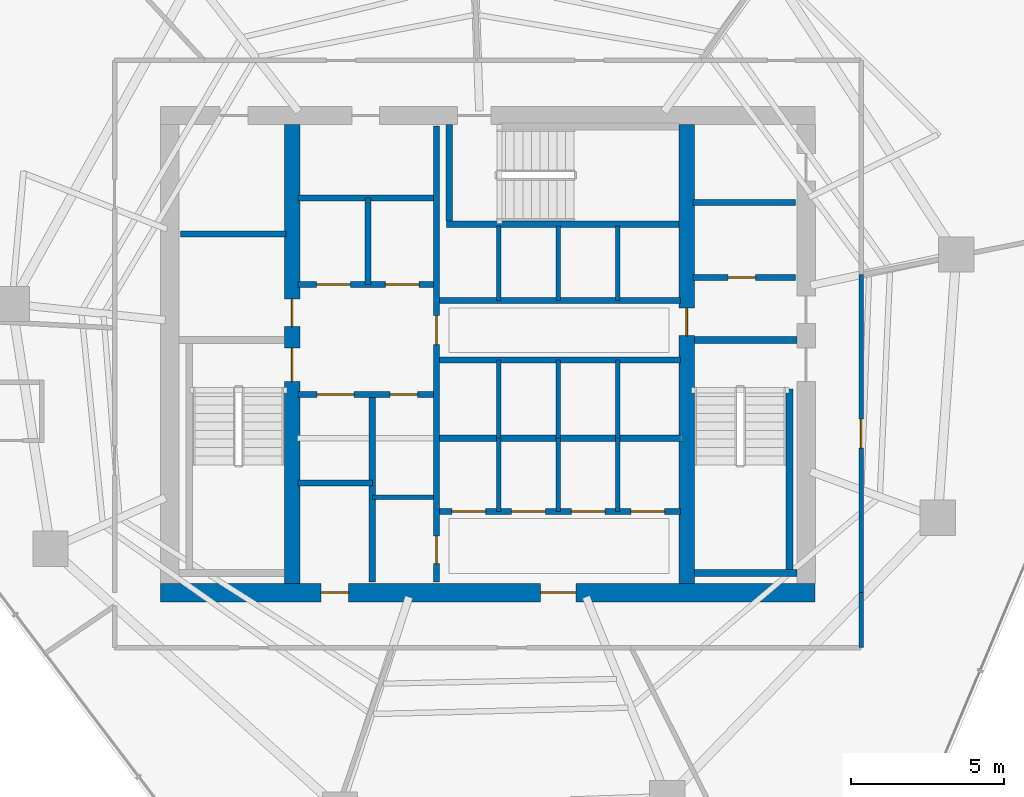
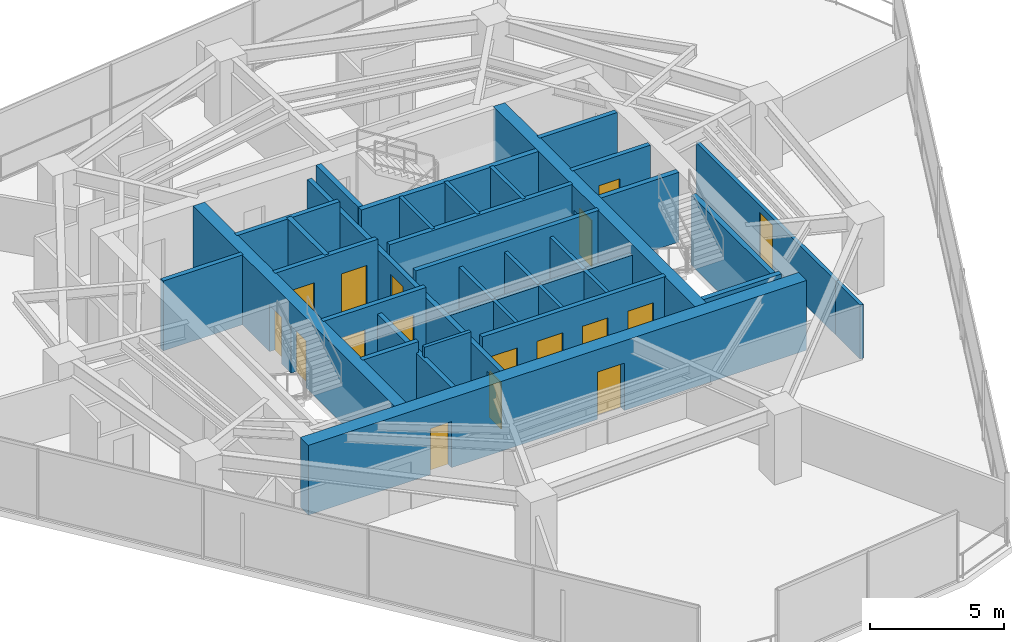
# One storey, part 25 of 30: 34 walls, 17 doors, 17 openings.
"""IFC4 building model written with IfcOpenShell, lengths in metres."""

import ifcopenshell
import ifcopenshell.guid

model = None  # the IFC model being written
_history = None  # IfcOwnerHistory: only IFC2X3 demands one
_inside = {}  # id of a spatial element -> (the spatial element, [elements in it])
_under = {}  # id of a project, library or spatial element -> (it, [spatial elements below it])
_declared = {}  # id of a project -> (the project, [libraries it declares])
_typed = {}  # id of a type object -> (the type object, [elements of that type])
_made_of = {}  # id of a material, layer set ... -> (it, [elements and type objects made of it])


def new_model(schema):
    """Start an empty IFC model of exactly this schema.

    Asked for "IFC4X3", IfcOpenShell would pick the latest addendum, in which some entities
    have other attributes; the version numbers below select the first issue.
    IFC2X3 requires an IfcOwnerHistory on every rooted entity: one is made here for all.
    """
    global model, _history
    if schema == "IFC4X3":
        model = ifcopenshell.file(schema_version=(4, 3, 0, 0))
    else:
        model = ifcopenshell.file(schema=schema)
    _inside.clear()
    _under.clear()
    _declared.clear()
    _typed.clear()
    _made_of.clear()
    _history = None
    if model.schema == "IFC2X3":
        org = make("IfcOrganization", Name="unknown")
        user = make(
            "IfcPersonAndOrganization",
            ThePerson=make("IfcPerson", FamilyName="unknown"),
            TheOrganization=org,
        )
        app = make(
            "IfcApplication",
            ApplicationDeveloper=org,
            Version="unknown",
            ApplicationFullName="unknown",
            ApplicationIdentifier="unknown",
        )
        _history = make(
            "IfcOwnerHistory",
            OwningUser=user,
            OwningApplication=app,
            ChangeAction="ADDED",
            CreationDate=0,
        )
    return model


def make(cls, **values):
    """One entity of the class cls with the attributes given. An attribute that is None is left unset."""
    return model.create_entity(
        cls, **{name: value for name, value in values.items() if value is not None}
    )


def rooted(cls, **values):
    """An entity with a GlobalId (a new one), such as an element, a storey or a relation."""
    return make(cls, GlobalId=ifcopenshell.guid.new(), OwnerHistory=_history, **values)


def si_unit(unit_type, name, prefix=None):
    """IfcSIUnit, for example si_unit("LENGTHUNIT", "METRE", prefix="MILLI")."""
    return make("IfcSIUnit", UnitType=unit_type, Prefix=prefix, Name=name)


def assignment(units):
    """IfcUnitAssignment: the units of a project."""
    return None if units is None else make("IfcUnitAssignment", Units=units)


def point(xyz):
    """IfcCartesianPoint."""
    return None if xyz is None else make("IfcCartesianPoint", Coordinates=xyz)


def direction(xyz):
    """IfcDirection."""
    return None if xyz is None else make("IfcDirection", DirectionRatios=xyz)


def frame(location, z_axis=None, x_axis=None):
    """IfcAxis2Placement3D, a coordinate frame: its origin and axes. An axis left out is left unset."""
    return make(
        "IfcAxis2Placement3D",
        Location=point(location),
        Axis=direction(z_axis),
        RefDirection=direction(x_axis),
    )


def frame_2d(location, x_axis=None):
    """IfcAxis2Placement2D, a coordinate frame in the plane: its origin and x axis."""
    return make(
        "IfcAxis2Placement2D", Location=point(location), RefDirection=direction(x_axis)
    )


def origin():
    """The frame at (0, 0, 0) with its axes left unset."""
    return frame((0.0, 0.0, 0.0))


def place(relative_to, where):
    """IfcLocalPlacement: puts the frame where relative to a parent placement (None: the world)."""
    return make(
        "IfcLocalPlacement", PlacementRelTo=relative_to, RelativePlacement=where
    )


def context(
    kind, dimensions, precision=None, world=None, true_north=None, identifier=None
):
    """IfcGeometricRepresentationContext, for example the 3D "Model" context."""
    return make(
        "IfcGeometricRepresentationContext",
        ContextIdentifier=identifier,
        ContextType=kind,
        CoordinateSpaceDimension=dimensions,
        Precision=precision,
        WorldCoordinateSystem=world,
        TrueNorth=true_north,
    )


def subcontext(parent, identifier, kind, view, scale=None):
    """IfcGeometricRepresentationSubContext, for example "Body" below "Model"."""
    return make(
        "IfcGeometricRepresentationSubContext",
        ContextIdentifier=identifier,
        ContextType=kind,
        ParentContext=parent,
        TargetScale=scale,
        TargetView=view,
    )


def project(units=None, contexts=None):
    """IfcProject with its units and contexts."""
    return rooted(
        "IfcProject",
        Name="project",
        RepresentationContexts=contexts,
        UnitsInContext=assignment(units),
    )


def spatial(cls, under=None, at=None, **own):
    """A site, building, storey or space (cls), placed at a placement, below another one or the project."""
    s = rooted(cls, ObjectPlacement=at, **own)
    if under is not None:
        _under.setdefault(under.id(), (under, []))[1].append(s)
    return s


def profile(cls, at=None, kind="AREA", **sizes):
    """A parametric profile (cls). Its sizes go by their IFC names, for example OverallWidth=200.0."""
    return make(cls, ProfileType=kind, Position=at, **sizes)


def rectangle(**sizes):
    """IfcRectangleProfileDef."""
    return profile("IfcRectangleProfileDef", **sizes)


def extrude(swept, where, along, depth):
    """IfcExtrudedAreaSolid: the profile swept, set in the frame where, extruded along a direction by depth."""
    return make(
        "IfcExtrudedAreaSolid",
        SweptArea=swept,
        Position=where,
        ExtrudedDirection=direction(along),
        Depth=depth,
    )


def shape(context_of_items, identifier, shape_type, items):
    """IfcShapeRepresentation: the items that make up one representation, for example the "Body"."""
    return make(
        "IfcShapeRepresentation",
        ContextOfItems=context_of_items,
        RepresentationIdentifier=identifier,
        RepresentationType=shape_type,
        Items=items,
    )


def material(Name=None, Category=None):
    """IfcMaterial."""
    return make("IfcMaterial", Name=Name, Category=Category)


def layer(
    of_material, thickness, ventilated=None, Name=None, Category=None, Priority=None
):
    """IfcMaterialLayer: one layer of a wall or slab, of a material (None: an air gap)."""
    return make(
        "IfcMaterialLayer",
        Material=of_material,
        LayerThickness=thickness,
        IsVentilated=ventilated,
        Name=Name,
        Category=Category,
        Priority=Priority,
    )


def layer_set(layers, Name=None):
    """IfcMaterialLayerSet."""
    return make("IfcMaterialLayerSet", MaterialLayers=layers, LayerSetName=Name)


def made_of(thing, what):
    """Note that an element or type object is made of a material, layer set ...; save() writes the relation."""
    if what is not None:
        _made_of.setdefault(what.id(), (what, []))[1].append(thing)
    return thing


def type_object(cls, material=None, **own):
    """A type object (cls), such as IfcWallType, which elements share."""
    return made_of(rooted(cls, **own), material)


def element(
    cls,
    number,
    at=None,
    inside=None,
    cuts=None,
    type_object=None,
    material=None,
    context=None,
    identifier="Body",
    shape_type=None,
    held_by="IfcProductDefinitionShape",
    body=None,
    shapes=None,
    **own,
):
    """One element of the class cls, such as IfcWall. Its Tag is "e" and its number.

    at: its placement. inside: the storey or other place that contains it. cuts: it is an
    opening in that element (IfcRelVoidsElement). A single representation is given by context,
    identifier, shape_type and body (its items); several are given by shapes. held_by: the class
    of the entity that holds the representations. save() writes the other relations.
    """
    e = rooted(cls, Tag="e%d" % number, ObjectPlacement=at, **own)
    if body is not None:
        shapes = [shape(context, identifier, shape_type, body)]
    if shapes is not None:
        e.Representation = make(held_by, Representations=shapes)
    if inside is not None:
        _inside.setdefault(inside.id(), (inside, []))[1].append(e)
    if cuts is not None:
        rooted(
            "IfcRelVoidsElement", RelatingBuildingElement=cuts, RelatedOpeningElement=e
        )
    if type_object is not None:
        _typed.setdefault(type_object.id(), (type_object, []))[1].append(e)
    return made_of(e, material)


def fill(opening, filler):
    """IfcRelFillsElement: the door or window that sits in an opening."""
    return rooted(
        "IfcRelFillsElement",
        RelatingOpeningElement=opening,
        RelatedBuildingElement=filler,
    )


def aggregate(whole, parts):
    """IfcRelAggregates: a whole, such as a stair, and the parts it consists of."""
    return rooted("IfcRelAggregates", RelatingObject=whole, RelatedObjects=parts)


def save(model, path):
    """Write the relations noted so far, then the file.

    IfcRelAggregates (storeys below a building ...), IfcRelContainedInSpatialStructure (elements
    in a storey), IfcRelDefinesByType, IfcRelAssociatesMaterial and IfcRelDeclares: one each for
    every whole, place, type object, material and project.
    """
    for whole, parts in _under.values():
        aggregate(whole, parts)
    for where, things in _inside.values():
        rooted(
            "IfcRelContainedInSpatialStructure",
            RelatedElements=things,
            RelatingStructure=where,
        )
    for kind, things in _typed.values():
        rooted("IfcRelDefinesByType", RelatedObjects=things, RelatingType=kind)
    for what, things in _made_of.values():
        rooted("IfcRelAssociatesMaterial", RelatedObjects=things, RelatingMaterial=what)
    for by, libraries in _declared.values():
        rooted("IfcRelDeclares", RelatingContext=by, RelatedDefinitions=libraries)
    model.write(path)


model = new_model("IFC4")

# Units and contexts
model_context = context("Model", 3, precision=1e-05, world=origin(), true_north=direction((0.0, 1.0)))
body_context = subcontext(model_context, "Body", "Model", "MODEL_VIEW")
ifc_project = project(units=[si_unit("LENGTHUNIT", "METRE"), si_unit("AREAUNIT", "SQUARE_METRE"), si_unit("VOLUMEUNIT", "CUBIC_METRE"), si_unit("PLANEANGLEUNIT", "RADIAN"), si_unit("MASSUNIT", "GRAM", prefix="KILO")], contexts=[model_context])

# Site, building, storey
site_placement = place(None, origin())
site = spatial("IfcSite", under=ifc_project, at=site_placement, CompositionType="ELEMENT")
building_placement = place(site_placement, origin())
building = spatial("IfcBuilding", under=site, at=building_placement, Name="Qarnah Convention Tower", CompositionType="ELEMENT")
storey_placement = place(building_placement, frame((0.0, 0.0, 93.60009765625)))
storey = spatial("IfcBuildingStorey", under=building, at=storey_placement, Name="L24", CompositionType="ELEMENT", Elevation=93.60009765625)

# Wall, openings, doors
ifc_material_1 = material(Name="Concrete C60/75", Category="concrete")
ifc_layer_1 = layer(ifc_material_1, 0.60009765625)
ifc_layer_set_1 = layer_set([ifc_layer_1], Name="Concrete C60/75")
wall_type_1 = type_object("IfcWallType", Name="WL-CORE-600", PredefinedType="SHEAR", material=ifc_layer_set_1)
wall_1_placement = place(storey_placement, frame((26.5, 18.60009765625, 0.0), z_axis=(0.0, 0.0, 1.0), x_axis=(1.0, 0.0, 0.0)))
wall_1 = element("IfcWall", 1, at=wall_1_placement, inside=storey, type_object=wall_type_1, Name="L24 core south shear wall", PredefinedType="SHEAR", context=body_context, shape_type="SweptSolid", body=[
    extrude(rectangle(XDim=21.39990234375, YDim=0.60009765625, at=frame_2d((10.699951171875, 0.0))), origin(), (0.0, 0.0, 1.0), 3.169921875),
])
opening_1_placement = place(wall_1_placement, frame((12.425048828125, 0.0, 0.0)))
opening_1 = element("IfcOpeningElement", 2, at=opening_1_placement, cuts=wall_1, Name="Opening D-2407", PredefinedType="OPENING", context=body_context, shape_type="SweptSolid", body=[
    extrude(rectangle(XDim=1.14990234375, YDim=2.14990234375, at=frame_2d((0.574951171875, 1.074951171875))), frame((0.0, 0.31005859375, 0.0), z_axis=(0.0, -1.0, 0.0), x_axis=(1.0, 0.0, 0.0)), (0.0, 0.0, 1.0), 0.6201171875),
])
opening_2_placement = place(wall_1_placement, frame((5.25, 0.0, 0.0)))
opening_2 = element("IfcOpeningElement", 3, at=opening_2_placement, cuts=wall_1, Name="Opening D-2413", PredefinedType="OPENING", context=body_context, shape_type="SweptSolid", body=[
    extrude(rectangle(XDim=0.89990234375, YDim=2.10009765625, at=frame_2d((0.449951171875, 1.050048828125))), frame((0.0, 0.31005859375, 0.0), z_axis=(0.0, -1.0, 0.0), x_axis=(1.0, 0.0, 0.0)), (0.0, 0.0, 1.0), 0.6201171875),
])
ifc_material_2 = material(Name="Structural steel S355JR", Category="steel")
door_type_1 = type_object("IfcDoorType", Name="DT-LOBBY-1150", OperationType="NOTDEFINED", PredefinedType="DOOR", material=ifc_material_2)
door_1_placement = place(opening_1_placement, origin())
door_1 = element("IfcDoor", 4, at=door_1_placement, inside=storey, type_object=door_type_1, Name="Door D-2407", OperationType="SINGLE_SWING_RIGHT", OverallHeight=2.14990234375, OverallWidth=1.14990234375, PredefinedType="DOOR", context=body_context, shape_type="SweptSolid", body=[
    extrude(rectangle(XDim=1.14990234375, YDim=2.14990234375, at=frame_2d((0.574951171875, 1.074951171875))), frame((0.0, 0.02490234375, 0.0), z_axis=(0.0, -1.0, 0.0), x_axis=(1.0, 0.0, 0.0)), (0.0, 0.0, 1.0), 0.050048828125),
])
fill(opening_1, door_1)
door_type_2 = type_object("IfcDoorType", Name="DT-RISER-900", OperationType="NOTDEFINED", PredefinedType="DOOR", material=ifc_material_2)
door_2_placement = place(opening_2_placement, origin())
door_2 = element("IfcDoor", 5, at=door_2_placement, inside=storey, type_object=door_type_2, Name="Door D-2413", OperationType="SINGLE_SWING_RIGHT", OverallHeight=2.10009765625, OverallWidth=0.89990234375, PredefinedType="DOOR", context=body_context, shape_type="SweptSolid", body=[
    extrude(rectangle(XDim=0.89990234375, YDim=2.10009765625, at=frame_2d((0.449951171875, 1.050048828125))), frame((0.0, 0.02490234375, 0.0), z_axis=(0.0, -1.0, 0.0), x_axis=(1.0, 0.0, 0.0)), (0.0, 0.0, 1.0), 0.050048828125),
])
fill(opening_2, door_2)

ifc_layer_2 = layer(ifc_material_1, 0.5)
ifc_layer_set_2 = layer_set([ifc_layer_2], Name="Concrete C60/75")
wall_type_2 = type_object("IfcWallType", Name="WL-CORE-INT-400", PredefinedType="SHEAR", material=ifc_layer_set_2)
wall_2_placement = place(storey_placement, frame((30.800048828125, 18.89990234375, 0.0), z_axis=(0.0, 0.0, 1.0), x_axis=(0.0, 1.0, 0.0)))
wall_2 = element("IfcWall", 6, at=wall_2_placement, inside=storey, type_object=wall_type_2, Name="L24 core west spine shear wall", PredefinedType="SHEAR", context=body_context, shape_type="SweptSolid", body=[
    extrude(rectangle(XDim=15.0, YDim=0.5, at=frame_2d((7.5, 0.0))), origin(), (0.0, 0.0, 1.0), 3.169921875),
])
opening_3_placement = place(wall_2_placement, frame((6.60009765625, 0.0, 0.0)))
opening_3 = element("IfcOpeningElement", 7, at=opening_3_placement, cuts=wall_2, Name="Opening D-2401", PredefinedType="OPENING", context=body_context, shape_type="SweptSolid", body=[
    extrude(rectangle(XDim=1.10009765625, YDim=2.14990234375, at=frame_2d((0.550048828125, 1.074951171875))), frame((0.0, 0.260009765625, 0.0), z_axis=(0.0, -1.0, 0.0), x_axis=(1.0, 0.0, 0.0)), (0.0, 0.0, 1.0), 0.52001953125),
])
opening_4_placement = place(wall_2_placement, frame((8.39990234375, 0.0, 0.0)))
opening_4 = element("IfcOpeningElement", 8, at=opening_4_placement, cuts=wall_2, Name="Opening D-2408", PredefinedType="OPENING", context=body_context, shape_type="SweptSolid", body=[
    extrude(rectangle(XDim=0.89990234375, YDim=2.10009765625, at=frame_2d((0.449951171875, 1.050048828125))), frame((0.0, 0.260009765625, 0.0), z_axis=(0.0, -1.0, 0.0), x_axis=(1.0, 0.0, 0.0)), (0.0, 0.0, 1.0), 0.52001953125),
])
door_3_placement = place(opening_4_placement, origin())
door_3 = element("IfcDoor", 9, at=door_3_placement, inside=storey, type_object=door_type_2, Name="Door D-2408", OperationType="SINGLE_SWING_LEFT", OverallHeight=2.10009765625, OverallWidth=0.89990234375, PredefinedType="DOOR", context=body_context, shape_type="SweptSolid", body=[
    extrude(rectangle(XDim=0.89990234375, YDim=2.10009765625, at=frame_2d((0.449951171875, 1.050048828125))), frame((0.0, 0.02490234375, 0.0), z_axis=(0.0, -1.0, 0.0), x_axis=(1.0, 0.0, 0.0)), (0.0, 0.0, 1.0), 0.050048828125),
])
fill(opening_4, door_3)
door_type_3 = type_object("IfcDoorType", Name="DT-STAIR-1100", OperationType="NOTDEFINED", PredefinedType="DOOR", material=ifc_material_2)
door_4_placement = place(opening_3_placement, origin())
door_4 = element("IfcDoor", 10, at=door_4_placement, inside=storey, type_object=door_type_3, Name="Door D-2401", OperationType="SINGLE_SWING_RIGHT", OverallHeight=2.14990234375, OverallWidth=1.10009765625, PredefinedType="DOOR", context=body_context, shape_type="SweptSolid", body=[
    extrude(rectangle(XDim=1.10009765625, YDim=2.14990234375, at=frame_2d((0.550048828125, 1.074951171875))), frame((0.0, 0.02490234375, 0.0), z_axis=(0.0, -1.0, 0.0), x_axis=(1.0, 0.0, 0.0)), (0.0, 0.0, 1.0), 0.050048828125),
])
fill(opening_3, door_4)

# Wall, opening, door
wall_3_placement = place(storey_placement, frame((43.699951171875, 18.89990234375, 0.0), z_axis=(0.0, 0.0, 1.0), x_axis=(0.0, 1.0, 0.0)))
wall_3 = element("IfcWall", 11, at=wall_3_placement, inside=storey, type_object=wall_type_2, Name="L24 core east spine shear wall", PredefinedType="SHEAR", context=body_context, shape_type="SweptSolid", body=[
    extrude(rectangle(XDim=15.0, YDim=0.5, at=frame_2d((7.5, 0.0))), origin(), (0.0, 0.0, 1.0), 3.169921875),
])
opening_5_placement = place(wall_3_placement, frame((8.10009765625, 0.0, 0.0)))
opening_5 = element("IfcOpeningElement", 12, at=opening_5_placement, cuts=wall_3, Name="Opening D-2405", PredefinedType="OPENING", context=body_context, shape_type="SweptSolid", body=[
    extrude(rectangle(XDim=0.89990234375, YDim=2.10009765625, at=frame_2d((0.449951171875, 1.050048828125))), frame((0.0, 0.260009765625, 0.0), z_axis=(0.0, -1.0, 0.0), x_axis=(1.0, 0.0, 0.0)), (0.0, 0.0, 1.0), 0.52001953125),
])
door_5_placement = place(opening_5_placement, origin())
door_5 = element("IfcDoor", 13, at=door_5_placement, inside=storey, type_object=door_type_2, Name="Door D-2405", OperationType="SINGLE_SWING_RIGHT", OverallHeight=2.10009765625, OverallWidth=0.89990234375, PredefinedType="DOOR", context=body_context, shape_type="SweptSolid", body=[
    extrude(rectangle(XDim=0.89990234375, YDim=2.10009765625, at=frame_2d((0.449951171875, 1.050048828125))), frame((0.0, 0.02490234375, 0.0), z_axis=(0.0, -1.0, 0.0), x_axis=(1.0, 0.0, 0.0)), (0.0, 0.0, 1.0), 0.050048828125),
])
fill(opening_5, door_5)

# Wall
ifc_material_3 = material(Name="Concrete C45/55", Category="concrete")
ifc_layer_3 = layer(ifc_material_3, 0.199951171875)
ifc_layer_set_3 = layer_set([ifc_layer_3], Name="Concrete C45/55")
wall_type_3 = type_object("IfcWallType", Name="WL-CORE-PART-200", PredefinedType="SOLIDWALL", material=ifc_layer_set_3)
wall_4_placement = place(storey_placement, frame((27.14990234375, 30.320068359375, 0.0), z_axis=(0.0, 0.0, 1.0), x_axis=(1.0, 0.0, 0.0)))
element("IfcWall", 14, at=wall_4_placement, inside=storey, type_object=wall_type_3, Name="L24 interior wall IW-L24-ELRN", PredefinedType="SOLIDWALL", context=body_context, shape_type="SweptSolid", body=[
    extrude(rectangle(XDim=3.4501953125, YDim=0.199951171875, at=frame_2d((1.72509765625, 0.0))), origin(), (0.0, 0.0, 1.0), 3.169921875),
])

# Wall, opening, door
wall_5_placement = place(storey_placement, frame((43.89990234375, 28.89990234375, 0.0), z_axis=(0.0, 0.0, 1.0), x_axis=(1.0, 0.0, 0.0)))
wall_5 = element("IfcWall", 15, at=wall_5_placement, inside=storey, type_object=wall_type_3, Name="L24 interior wall IW-L24-EVSTN", PredefinedType="SOLIDWALL", context=body_context, shape_type="SweptSolid", body=[
    extrude(rectangle(XDim=3.35009765625, YDim=0.199951171875, at=frame_2d((1.675048828125, 0.0))), origin(), (0.0, 0.0, 1.0), 3.169921875),
])
opening_6_placement = place(wall_5_placement, frame((1.14990234375, 0.0, 0.0)))
opening_6 = element("IfcOpeningElement", 16, at=opening_6_placement, cuts=wall_5, Name="Opening D-2411", PredefinedType="OPENING", context=body_context, shape_type="SweptSolid", body=[
    extrude(rectangle(XDim=0.89990234375, YDim=2.10009765625, at=frame_2d((0.449951171875, 1.050048828125))), frame((0.0, 0.10986328125, 0.0), z_axis=(0.0, -1.0, 0.0), x_axis=(1.0, 0.0, 0.0)), (0.0, 0.0, 1.0), 0.219970703125),
])
door_6_placement = place(opening_6_placement, origin())
door_6 = element("IfcDoor", 17, at=door_6_placement, inside=storey, type_object=door_type_2, Name="Door D-2411", OperationType="SINGLE_SWING_RIGHT", OverallHeight=2.10009765625, OverallWidth=0.89990234375, PredefinedType="DOOR", context=body_context, shape_type="SweptSolid", body=[
    extrude(rectangle(XDim=0.89990234375, YDim=2.10009765625, at=frame_2d((0.449951171875, 1.050048828125))), frame((0.0, 0.02490234375, 0.0), z_axis=(0.0, -1.0, 0.0), x_axis=(1.0, 0.0, 0.0)), (0.0, 0.0, 1.0), 0.050048828125),
])
fill(opening_6, door_6)

# Wall
wall_6_placement = place(storey_placement, frame((43.89990234375, 31.35009765625, 0.0), z_axis=(0.0, 0.0, 1.0), x_axis=(1.0, 0.0, 0.0)))
element("IfcWall", 18, at=wall_6_placement, inside=storey, type_object=wall_type_3, Name="L24 interior wall IW-L24-WTRN", PredefinedType="SOLIDWALL", context=body_context, shape_type="SweptSolid", body=[
    extrude(rectangle(XDim=3.35009765625, YDim=0.199951171875, at=frame_2d((1.675048828125, 0.0))), origin(), (0.0, 0.0, 1.0), 3.169921875),
])

# Wall, openings, doors
wall_7_placement = place(storey_placement, frame((35.52001953125, 18.949951171875, 0.0), z_axis=(0.0, 0.0, 1.0), x_axis=(0.0, 1.0, 0.0)))
wall_7 = element("IfcWall", 19, at=wall_7_placement, inside=storey, type_object=wall_type_3, Name="L24 interior wall IW-L24-CSP", PredefinedType="SOLIDWALL", context=body_context, shape_type="SweptSolid", body=[
    extrude(rectangle(XDim=14.900146484375, YDim=0.199951171875, at=frame_2d((7.4501953125, 0.0))), origin(), (0.0, 0.0, 1.0), 2.69091796875),
])
opening_7_placement = place(wall_7_placement, frame((7.7548828125, 0.0, 0.0)))
opening_7 = element("IfcOpeningElement", 20, at=opening_7_placement, cuts=wall_7, Name="Opening D-2404", PredefinedType="OPENING", context=body_context, shape_type="SweptSolid", body=[
    extrude(rectangle(XDim=0.949951171875, YDim=2.14990234375, at=frame_2d((0.47509765625, 1.074951171875))), frame((0.0, 0.10986328125, 0.0), z_axis=(0.0, -1.0, 0.0), x_axis=(1.0, 0.0, 0.0)), (0.0, 0.0, 1.0), 0.219970703125),
])
opening_8_placement = place(wall_7_placement, frame((0.60009765625, 0.0, 0.0)))
opening_8 = element("IfcOpeningElement", 21, at=opening_8_placement, cuts=wall_7, Name="Opening D-2414", PredefinedType="OPENING", context=body_context, shape_type="SweptSolid", body=[
    extrude(rectangle(XDim=0.89990234375, YDim=2.10009765625, at=frame_2d((0.449951171875, 1.050048828125))), frame((0.0, 0.10986328125, 0.0), z_axis=(0.0, -1.0, 0.0), x_axis=(1.0, 0.0, 0.0)), (0.0, 0.0, 1.0), 0.219970703125),
])
ifc_material_4 = material(Name="Oak timber veneer", Category="wood")
door_type_4 = type_object("IfcDoorType", Name="DT-HOTEL-950", OperationType="NOTDEFINED", PredefinedType="DOOR", material=ifc_material_4)
door_7_placement = place(opening_7_placement, origin())
door_7 = element("IfcDoor", 22, at=door_7_placement, inside=storey, type_object=door_type_4, Name="Door D-2404", OperationType="SINGLE_SWING_LEFT", OverallHeight=2.14990234375, OverallWidth=0.949951171875, PredefinedType="DOOR", context=body_context, shape_type="SweptSolid", body=[
    extrude(rectangle(XDim=0.949951171875, YDim=2.14990234375, at=frame_2d((0.47509765625, 1.074951171875))), frame((0.0, 0.02490234375, 0.0), z_axis=(0.0, -1.0, 0.0), x_axis=(1.0, 0.0, 0.0)), (0.0, 0.0, 1.0), 0.050048828125),
])
fill(opening_7, door_7)
door_8_placement = place(opening_8_placement, origin())
door_8 = element("IfcDoor", 23, at=door_8_placement, inside=storey, type_object=door_type_2, Name="Door D-2414", OperationType="SINGLE_SWING_LEFT", OverallHeight=2.10009765625, OverallWidth=0.89990234375, PredefinedType="DOOR", context=body_context, shape_type="SweptSolid", body=[
    extrude(rectangle(XDim=0.89990234375, YDim=2.10009765625, at=frame_2d((0.449951171875, 1.050048828125))), frame((0.0, 0.02490234375, 0.0), z_axis=(0.0, -1.0, 0.0), x_axis=(1.0, 0.0, 0.0)), (0.0, 0.0, 1.0), 0.050048828125),
])
fill(opening_8, door_8)

wall_8_placement = place(storey_placement, frame((31.0, 28.679931640625, 0.0), z_axis=(0.0, 0.0, 1.0), x_axis=(1.0, 0.0, 0.0)))
wall_8 = element("IfcWall", 24, at=wall_8_placement, inside=storey, type_object=wall_type_3, Name="L24 interior wall IW-L24-FFLS", PredefinedType="SOLIDWALL", context=body_context, shape_type="SweptSolid", body=[
    extrude(rectangle(XDim=4.419921875, YDim=0.199951171875, at=frame_2d((2.2099609375, 0.0))), origin(), (0.0, 0.0, 1.0), 3.169921875),
])
opening_9_placement = place(wall_8_placement, frame((0.60009765625, 0.0, 0.0)))
opening_9 = element("IfcOpeningElement", 25, at=opening_9_placement, cuts=wall_8, Name="Opening LD-2401", PredefinedType="OPENING", context=body_context, shape_type="SweptSolid", body=[
    extrude(rectangle(XDim=1.10009765625, YDim=2.14990234375, at=frame_2d((0.550048828125, 1.074951171875))), frame((0.0, 0.10986328125, 0.0), z_axis=(0.0, -1.0, 0.0), x_axis=(1.0, 0.0, 0.0)), (0.0, 0.0, 1.0), 0.219970703125),
])
opening_10_placement = place(wall_8_placement, frame((2.85009765625, 0.0, 0.0)))
opening_10 = element("IfcOpeningElement", 26, at=opening_10_placement, cuts=wall_8, Name="Opening LD-2402", PredefinedType="OPENING", context=body_context, shape_type="SweptSolid", body=[
    extrude(rectangle(XDim=1.10009765625, YDim=2.14990234375, at=frame_2d((0.550048828125, 1.074951171875))), frame((0.0, 0.10986328125, 0.0), z_axis=(0.0, -1.0, 0.0), x_axis=(1.0, 0.0, 0.0)), (0.0, 0.0, 1.0), 0.219970703125),
])
door_type_5 = type_object("IfcDoorType", Name="DT-LIFT-1100", OperationType="SLIDING_TO_LEFT", PredefinedType="DOOR", material=ifc_material_2)
door_9_placement = place(opening_9_placement, origin())
door_9 = element("IfcDoor", 27, at=door_9_placement, inside=storey, type_object=door_type_5, Name="Door LD-2401", OperationType="SLIDING_TO_LEFT", OverallHeight=2.14990234375, OverallWidth=1.10009765625, PredefinedType="DOOR", context=body_context, shape_type="SweptSolid", body=[
    extrude(rectangle(XDim=1.10009765625, YDim=2.14990234375, at=frame_2d((0.550048828125, 1.074951171875))), frame((0.0, 0.02490234375, 0.0), z_axis=(0.0, -1.0, 0.0), x_axis=(1.0, 0.0, 0.0)), (0.0, 0.0, 1.0), 0.050048828125),
])
fill(opening_9, door_9)
door_10_placement = place(opening_10_placement, origin())
door_10 = element("IfcDoor", 28, at=door_10_placement, inside=storey, type_object=door_type_5, Name="Door LD-2402", OperationType="SLIDING_TO_LEFT", OverallHeight=2.14990234375, OverallWidth=1.10009765625, PredefinedType="DOOR", context=body_context, shape_type="SweptSolid", body=[
    extrude(rectangle(XDim=1.10009765625, YDim=2.14990234375, at=frame_2d((0.550048828125, 1.074951171875))), frame((0.0, 0.02490234375, 0.0), z_axis=(0.0, -1.0, 0.0), x_axis=(1.0, 0.0, 0.0)), (0.0, 0.0, 1.0), 0.050048828125),
])
fill(opening_10, door_10)

# Walls
wall_9_placement = place(storey_placement, frame((31.0, 31.5, 0.0), z_axis=(0.0, 0.0, 1.0), x_axis=(1.0, 0.0, 0.0)))
element("IfcWall", 29, at=wall_9_placement, inside=storey, type_object=wall_type_3, Name="L24 interior wall IW-L24-FFLN", PredefinedType="SOLIDWALL", context=body_context, shape_type="SweptSolid", body=[
    extrude(rectangle(XDim=4.419921875, YDim=0.199951171875, at=frame_2d((2.2099609375, 0.0))), origin(), (0.0, 0.0, 1.0), 3.169921875),
])
wall_10_placement = place(storey_placement, frame((33.280029296875, 28.679931640625, 0.0), z_axis=(0.0, 0.0, 1.0), x_axis=(0.0, 1.0, 0.0)))
element("IfcWall", 30, at=wall_10_placement, inside=storey, type_object=wall_type_3, Name="L24 interior wall IW-L24-FFLM", PredefinedType="SOLIDWALL", context=body_context, shape_type="SweptSolid", body=[
    extrude(rectangle(XDim=2.820068359375, YDim=0.199951171875, at=frame_2d((1.41015625, 0.0))), origin(), (0.0, 0.0, 1.0), 3.169921875),
])

# Wall, openings, doors
wall_11_placement = place(storey_placement, frame((31.0, 25.080078125, 0.0), z_axis=(0.0, 0.0, 1.0), x_axis=(1.0, 0.0, 0.0)))
wall_11 = element("IfcWall", 31, at=wall_11_placement, inside=storey, type_object=wall_type_3, Name="L24 interior wall IW-L24-FFLBS", PredefinedType="SOLIDWALL", context=body_context, shape_type="SweptSolid", body=[
    extrude(rectangle(XDim=4.419921875, YDim=0.199951171875, at=frame_2d((2.2099609375, 0.0))), origin(), (0.0, 0.0, 1.0), 3.169921875),
])
opening_11_placement = place(wall_11_placement, frame((3.0, 0.0, 0.0)))
opening_11 = element("IfcOpeningElement", 32, at=opening_11_placement, cuts=wall_11, Name="Opening D-2415", PredefinedType="OPENING", context=body_context, shape_type="SweptSolid", body=[
    extrude(rectangle(XDim=0.89990234375, YDim=2.10009765625, at=frame_2d((0.449951171875, 1.050048828125))), frame((0.0, 0.10986328125, 0.0), z_axis=(0.0, -1.0, 0.0), x_axis=(1.0, 0.0, 0.0)), (0.0, 0.0, 1.0), 0.219970703125),
])
opening_12_placement = place(wall_11_placement, frame((0.6201171875, 0.0, 0.0)))
opening_12 = element("IfcOpeningElement", 33, at=opening_12_placement, cuts=wall_11, Name="Opening LD-2403", PredefinedType="OPENING", context=body_context, shape_type="SweptSolid", body=[
    extrude(rectangle(XDim=1.199951171875, YDim=2.14990234375, at=frame_2d((0.60009765625, 1.074951171875))), frame((0.0, 0.10986328125, 0.0), z_axis=(0.0, -1.0, 0.0), x_axis=(1.0, 0.0, 0.0)), (0.0, 0.0, 1.0), 0.219970703125),
])
door_type_6 = type_object("IfcDoorType", Name="DT-LIFT-1200", OperationType="SLIDING_TO_LEFT", PredefinedType="DOOR", material=ifc_material_2)
door_11_placement = place(opening_12_placement, origin())
door_11 = element("IfcDoor", 34, at=door_11_placement, inside=storey, type_object=door_type_6, Name="Door LD-2403", OperationType="SLIDING_TO_LEFT", OverallHeight=2.14990234375, OverallWidth=1.199951171875, PredefinedType="DOOR", context=body_context, shape_type="SweptSolid", body=[
    extrude(rectangle(XDim=1.199951171875, YDim=2.14990234375, at=frame_2d((0.60009765625, 1.074951171875))), frame((0.0, 0.02490234375, 0.0), z_axis=(0.0, -1.0, 0.0), x_axis=(1.0, 0.0, 0.0)), (0.0, 0.0, 1.0), 0.050048828125),
])
fill(opening_12, door_11)
door_12_placement = place(opening_11_placement, origin())
door_12 = element("IfcDoor", 35, at=door_12_placement, inside=storey, type_object=door_type_2, Name="Door D-2415", OperationType="SINGLE_SWING_RIGHT", OverallHeight=2.10009765625, OverallWidth=0.89990234375, PredefinedType="DOOR", context=body_context, shape_type="SweptSolid", body=[
    extrude(rectangle(XDim=0.89990234375, YDim=2.10009765625, at=frame_2d((0.449951171875, 1.050048828125))), frame((0.0, 0.02490234375, 0.0), z_axis=(0.0, -1.0, 0.0), x_axis=(1.0, 0.0, 0.0)), (0.0, 0.0, 1.0), 0.050048828125),
])
fill(opening_11, door_12)

# Walls
wall_12_placement = place(storey_placement, frame((33.419921875, 18.949951171875, 0.0), z_axis=(0.0, 0.0, 1.0), x_axis=(0.0, 1.0, 0.0)))
element("IfcWall", 36, at=wall_12_placement, inside=storey, type_object=wall_type_3, Name="L24 interior wall IW-L24-SVLE", PredefinedType="SOLIDWALL", context=body_context, shape_type="SweptSolid", body=[
    extrude(rectangle(XDim=6.130126953125, YDim=0.199951171875, at=frame_2d((3.06494140625, 0.0))), origin(), (0.0, 0.0, 1.0), 2.69091796875),
])
wall_13_placement = place(storey_placement, frame((31.0, 22.179931640625, 0.0), z_axis=(0.0, 0.0, 1.0), x_axis=(1.0, 0.0, 0.0)))
element("IfcWall", 37, at=wall_13_placement, inside=storey, type_object=wall_type_3, Name="L24 interior wall IW-L24-SVLS", PredefinedType="SOLIDWALL", context=body_context, shape_type="SweptSolid", body=[
    extrude(rectangle(XDim=2.419921875, YDim=0.199951171875, at=frame_2d((1.2099609375, 0.0))), origin(), (0.0, 0.0, 1.0), 3.169921875),
])
for number, where, z_axis, x_axis, name in (
    (38, (35.6201171875, 28.14990234375, 0.0), (0.0, 0.0, 1.0), (1.0, 0.0, 0.0), "L24 interior wall IW-L24-PHS"),
    (39, (35.6201171875, 26.199951171875, 0.0), (0.0, 0.0, 1.0), (1.0, 0.0, 0.0), "L24 interior wall IW-L24-PMN"),
):
    element("IfcWall", number, at=place(storey_placement, frame(where, z_axis=z_axis, x_axis=x_axis)), inside=storey, type_object=wall_type_3, Name=name, PredefinedType="SOLIDWALL", context=body_context, shape_type="SweptSolid", body=[
        extrude(rectangle(XDim=7.8798828125, YDim=0.199951171875, at=frame_2d((3.93994140625, 0.0))), origin(), (0.0, 0.0, 1.0), 3.169921875),
    ])
wall_14_placement = place(storey_placement, frame((35.6201171875, 23.64990234375, 0.0), z_axis=(0.0, 0.0, 1.0), x_axis=(1.0, 0.0, 0.0)))
element("IfcWall", 40, at=wall_14_placement, inside=storey, type_object=wall_type_3, Name="L24 interior wall IW-L24-PMPL", PredefinedType="SOLIDWALL", context=body_context, shape_type="SweptSolid", body=[
    extrude(rectangle(XDim=7.8798828125, YDim=0.199951171875, at=frame_2d((3.93994140625, 0.0))), origin(), (0.0, 0.0, 1.0), 2.69091796875),
])

# Wall, openings, doors
wall_15_placement = place(storey_placement, frame((35.6201171875, 21.25, 0.0), z_axis=(0.0, 0.0, 1.0), x_axis=(1.0, 0.0, 0.0)))
wall_15 = element("IfcWall", 41, at=wall_15_placement, inside=storey, type_object=wall_type_3, Name="L24 interior wall IW-L24-PLS", PredefinedType="SOLIDWALL", context=body_context, shape_type="SweptSolid", body=[
    extrude(rectangle(XDim=7.8798828125, YDim=0.199951171875, at=frame_2d((3.93994140625, 0.0))), origin(), (0.0, 0.0, 1.0), 3.169921875),
])
opening_13_placement = place(wall_15_placement, frame((0.405029296875, 0.0, 0.0)))
opening_13 = element("IfcOpeningElement", 42, at=opening_13_placement, cuts=wall_15, Name="Opening LD-2404", PredefinedType="OPENING", context=body_context, shape_type="SweptSolid", body=[
    extrude(rectangle(XDim=1.10009765625, YDim=2.14990234375, at=frame_2d((0.550048828125, 1.074951171875))), frame((0.0, 0.10986328125, 0.0), z_axis=(0.0, -1.0, 0.0), x_axis=(1.0, 0.0, 0.0)), (0.0, 0.0, 1.0), 0.219970703125),
])
opening_14_placement = place(wall_15_placement, frame((2.35498046875, 0.0, 0.0)))
opening_14 = element("IfcOpeningElement", 43, at=opening_14_placement, cuts=wall_15, Name="Opening LD-2405", PredefinedType="OPENING", context=body_context, shape_type="SweptSolid", body=[
    extrude(rectangle(XDim=1.10009765625, YDim=2.14990234375, at=frame_2d((0.550048828125, 1.074951171875))), frame((0.0, 0.10986328125, 0.0), z_axis=(0.0, -1.0, 0.0), x_axis=(1.0, 0.0, 0.0)), (0.0, 0.0, 1.0), 0.219970703125),
])
opening_15_placement = place(wall_15_placement, frame((4.304931640625, 0.0, 0.0)))
opening_15 = element("IfcOpeningElement", 44, at=opening_15_placement, cuts=wall_15, Name="Opening LD-2406", PredefinedType="OPENING", context=body_context, shape_type="SweptSolid", body=[
    extrude(rectangle(XDim=1.10009765625, YDim=2.14990234375, at=frame_2d((0.550048828125, 1.074951171875))), frame((0.0, 0.10986328125, 0.0), z_axis=(0.0, -1.0, 0.0), x_axis=(1.0, 0.0, 0.0)), (0.0, 0.0, 1.0), 0.219970703125),
])
opening_16_placement = place(wall_15_placement, frame((6.2548828125, 0.0, 0.0)))
opening_16 = element("IfcOpeningElement", 45, at=opening_16_placement, cuts=wall_15, Name="Opening LD-2407", PredefinedType="OPENING", context=body_context, shape_type="SweptSolid", body=[
    extrude(rectangle(XDim=1.10009765625, YDim=2.14990234375, at=frame_2d((0.550048828125, 1.074951171875))), frame((0.0, 0.10986328125, 0.0), z_axis=(0.0, -1.0, 0.0), x_axis=(1.0, 0.0, 0.0)), (0.0, 0.0, 1.0), 0.219970703125),
])
door_13_placement = place(opening_13_placement, origin())
door_13 = element("IfcDoor", 46, at=door_13_placement, inside=storey, type_object=door_type_5, Name="Door LD-2404", OperationType="SLIDING_TO_LEFT", OverallHeight=2.14990234375, OverallWidth=1.10009765625, PredefinedType="DOOR", context=body_context, shape_type="SweptSolid", body=[
    extrude(rectangle(XDim=1.10009765625, YDim=2.14990234375, at=frame_2d((0.550048828125, 1.074951171875))), frame((0.0, 0.02490234375, 0.0), z_axis=(0.0, -1.0, 0.0), x_axis=(1.0, 0.0, 0.0)), (0.0, 0.0, 1.0), 0.050048828125),
])
fill(opening_13, door_13)
door_14_placement = place(opening_14_placement, origin())
door_14 = element("IfcDoor", 47, at=door_14_placement, inside=storey, type_object=door_type_5, Name="Door LD-2405", OperationType="SLIDING_TO_LEFT", OverallHeight=2.14990234375, OverallWidth=1.10009765625, PredefinedType="DOOR", context=body_context, shape_type="SweptSolid", body=[
    extrude(rectangle(XDim=1.10009765625, YDim=2.14990234375, at=frame_2d((0.550048828125, 1.074951171875))), frame((0.0, 0.02490234375, 0.0), z_axis=(0.0, -1.0, 0.0), x_axis=(1.0, 0.0, 0.0)), (0.0, 0.0, 1.0), 0.050048828125),
])
fill(opening_14, door_14)
door_15_placement = place(opening_15_placement, origin())
door_15 = element("IfcDoor", 48, at=door_15_placement, inside=storey, type_object=door_type_5, Name="Door LD-2406", OperationType="SLIDING_TO_LEFT", OverallHeight=2.14990234375, OverallWidth=1.10009765625, PredefinedType="DOOR", context=body_context, shape_type="SweptSolid", body=[
    extrude(rectangle(XDim=1.10009765625, YDim=2.14990234375, at=frame_2d((0.550048828125, 1.074951171875))), frame((0.0, 0.02490234375, 0.0), z_axis=(0.0, -1.0, 0.0), x_axis=(1.0, 0.0, 0.0)), (0.0, 0.0, 1.0), 0.050048828125),
])
fill(opening_15, door_15)
door_16_placement = place(opening_16_placement, origin())
door_16 = element("IfcDoor", 49, at=door_16_placement, inside=storey, type_object=door_type_5, Name="Door LD-2407", OperationType="SLIDING_TO_LEFT", OverallHeight=2.14990234375, OverallWidth=1.10009765625, PredefinedType="DOOR", context=body_context, shape_type="SweptSolid", body=[
    extrude(rectangle(XDim=1.10009765625, YDim=2.14990234375, at=frame_2d((0.550048828125, 1.074951171875))), frame((0.0, 0.02490234375, 0.0), z_axis=(0.0, -1.0, 0.0), x_axis=(1.0, 0.0, 0.0)), (0.0, 0.0, 1.0), 0.050048828125),
])
fill(opening_16, door_16)

# Walls
ifc_layer_4 = layer(ifc_material_1, 0.219970703125)
ifc_layer_set_4 = layer_set([ifc_layer_4], Name="Concrete C60/75")
wall_type_4 = type_object("IfcWallType", Name="WL-CORE-STAIR-220", PredefinedType="SHEAR", material=ifc_layer_set_4)
wall_16_placement = place(storey_placement, frame((43.949951171875, 26.860107421875, 0.0), z_axis=(0.0, 0.0, 1.0), x_axis=(1.0, 0.0, 0.0)))
element("IfcWall", 50, at=wall_16_placement, inside=storey, type_object=wall_type_4, Name="L24 stair shaft shear wall SW-L24-ST2N", PredefinedType="SHEAR", context=body_context, shape_type="SweptSolid", body=[
    extrude(rectangle(XDim=3.35009765625, YDim=0.219970703125, at=frame_2d((1.675048828125, 0.0))), origin(), (0.0, 0.0, 1.0), 3.169921875),
])
wall_17_placement = place(storey_placement, frame((47.06005859375, 19.35009765625, 0.0), z_axis=(0.0, 0.0, 1.0), x_axis=(0.0, 1.0, 0.0)))
element("IfcWall", 51, at=wall_17_placement, inside=storey, type_object=wall_type_4, Name="L24 stair shaft shear wall SW-L24-ST2E", PredefinedType="SHEAR", context=body_context, shape_type="SweptSolid", body=[
    extrude(rectangle(XDim=5.89990234375, YDim=0.219970703125, at=frame_2d((2.949951171875, 0.0))), origin(), (0.0, 0.0, 1.0), 3.169921875),
])
wall_18_placement = place(storey_placement, frame((43.949951171875, 19.239990234375, 0.0), z_axis=(0.0, 0.0, 1.0), x_axis=(1.0, 0.0, 0.0)))
element("IfcWall", 52, at=wall_18_placement, inside=storey, type_object=wall_type_4, Name="L24 stair shaft shear wall SW-L24-ST2S", PredefinedType="SHEAR", context=body_context, shape_type="SweptSolid", body=[
    extrude(rectangle(XDim=3.35009765625, YDim=0.219970703125, at=frame_2d((1.675048828125, 0.0))), origin(), (0.0, 0.0, 1.0), 3.169921875),
])
wall_19_placement = place(storey_placement, frame((35.840087890625, 30.639892578125, 0.0), z_axis=(0.0, 0.0, 1.0), x_axis=(1.0, 0.0, 0.0)))
element("IfcWall", 53, at=wall_19_placement, inside=storey, type_object=wall_type_4, Name="L24 stair shaft shear wall SW-L24-ST3S", PredefinedType="SHEAR", context=body_context, shape_type="SweptSolid", body=[
    extrude(rectangle(XDim=7.60986328125, YDim=0.219970703125, at=frame_2d((3.804931640625, 0.0))), origin(), (0.0, 0.0, 1.0), 3.169921875),
])
wall_20_placement = place(storey_placement, frame((35.93994140625, 30.75, 0.0), z_axis=(0.0, 0.0, 1.0), x_axis=(0.0, 1.0, 0.0)))
element("IfcWall", 54, at=wall_20_placement, inside=storey, type_object=wall_type_4, Name="L24 stair shaft shear wall SW-L24-ST3W", PredefinedType="SHEAR", context=body_context, shape_type="SweptSolid", body=[
    extrude(rectangle(XDim=3.14990234375, YDim=0.219970703125, at=frame_2d((1.574951171875, 0.0))), origin(), (0.0, 0.0, 1.0), 3.169921875),
])
ifc_material_5 = material(Name="Gypsum partition board")
ifc_layer_5 = layer(ifc_material_5, 0.14990234375)
ifc_layer_set_5 = layer_set([ifc_layer_5], Name="Gypsum partition board")
wall_type_5 = type_object("IfcWallType", Name="WL-SUITE-150", PredefinedType="PARTITIONING", material=ifc_layer_set_5)
wall_21_placement = place(storey_placement, frame((33.419921875, 21.719970703125, 0.0), z_axis=(0.0, 0.0, 1.0), x_axis=(1.0, 0.0, 0.0)))
element("IfcWall", 55, at=wall_21_placement, inside=storey, type_object=wall_type_5, Name="L24 interior wall IW-L24-CSV1", PredefinedType="PARTITIONING", context=body_context, shape_type="SweptSolid", body=[
    extrude(rectangle(XDim=2.0, YDim=0.14990234375, at=frame_2d((1.0, 0.0))), origin(), (0.0, 0.0, 1.0), 3.169921875),
])
for number, where, z_axis, x_axis, name in (
    (56, (37.550048828125, 28.14990234375, 0.0), (0.0, 0.0, 1.0), (0.0, 1.0, 0.0), "L24 interior wall IW-L24-PHD1"),
    (57, (39.5, 28.14990234375, 0.0), (0.0, 0.0, 1.0), (0.0, 1.0, 0.0), "L24 interior wall IW-L24-PHD2"),
    (58, (41.449951171875, 28.14990234375, 0.0), (0.0, 0.0, 1.0), (0.0, 1.0, 0.0), "L24 interior wall IW-L24-PHD3"),
):
    element("IfcWall", number, at=place(storey_placement, frame(where, z_axis=z_axis, x_axis=x_axis)), inside=storey, type_object=wall_type_5, Name=name, PredefinedType="PARTITIONING", context=body_context, shape_type="SweptSolid", body=[
        extrude(rectangle(XDim=2.43017578125, YDim=0.14990234375, at=frame_2d((1.215087890625, 0.0))), origin(), (0.0, 0.0, 1.0), 3.169921875),
    ])
for number, where, z_axis, x_axis, name in (
    (59, (37.550048828125, 23.64990234375, 0.0), (0.0, 0.0, 1.0), (0.0, 1.0, 0.0), "L24 interior wall IW-L24-PMD1"),
    (60, (39.5, 23.64990234375, 0.0), (0.0, 0.0, 1.0), (0.0, 1.0, 0.0), "L24 interior wall IW-L24-PMD2"),
    (61, (41.449951171875, 23.64990234375, 0.0), (0.0, 0.0, 1.0), (0.0, 1.0, 0.0), "L24 interior wall IW-L24-PMD3"),
):
    element("IfcWall", number, at=place(storey_placement, frame(where, z_axis=z_axis, x_axis=x_axis)), inside=storey, type_object=wall_type_5, Name=name, PredefinedType="PARTITIONING", context=body_context, shape_type="SweptSolid", body=[
        extrude(rectangle(XDim=2.550048828125, YDim=0.14990234375, at=frame_2d((1.27490234375, 0.0))), origin(), (0.0, 0.0, 1.0), 2.69091796875),
    ])
for number, where, z_axis, x_axis, name in (
    (62, (37.550048828125, 21.25, 0.0), (0.0, 0.0, 1.0), (0.0, 1.0, 0.0), "L24 interior wall IW-L24-PLD1"),
    (63, (39.5, 21.25, 0.0), (0.0, 0.0, 1.0), (0.0, 1.0, 0.0), "L24 interior wall IW-L24-PLD2"),
    (64, (41.449951171875, 21.25, 0.0), (0.0, 0.0, 1.0), (0.0, 1.0, 0.0), "L24 interior wall IW-L24-PLD3"),
):
    element("IfcWall", number, at=place(storey_placement, frame(where, z_axis=z_axis, x_axis=x_axis)), inside=storey, type_object=wall_type_5, Name=name, PredefinedType="PARTITIONING", context=body_context, shape_type="SweptSolid", body=[
        extrude(rectangle(XDim=2.39990234375, YDim=0.14990234375, at=frame_2d((1.199951171875, 0.0))), origin(), (0.0, 0.0, 1.0), 2.69091796875),
    ])

# Wall, opening, door
wall_22_placement = place(storey_placement, frame((49.39990234375, 28.992919921875, 0.0), z_axis=(0.0, 0.0, 1.0), x_axis=(0.0, -1.0, 0.0)))
wall_22 = element("IfcWall", 65, at=wall_22_placement, inside=storey, type_object=wall_type_5, Name="L24 interior wall IW-L24-R-37", PredefinedType="PARTITIONING", context=body_context, shape_type="SweptSolid", body=[
    extrude(rectangle(XDim=10.392822265625, YDim=0.14990234375, at=frame_2d((5.1962890625, 0.0))), origin(), (0.0, 0.0, 1.0), 2.454833984375),
])
opening_17_placement = place(wall_22_placement, frame((4.720947265625, 0.0, 0.0)))
opening_17 = element("IfcOpeningElement", 66, at=opening_17_placement, cuts=wall_22, Name="Opening D-2427", PredefinedType="OPENING", context=body_context, shape_type="SweptSolid", body=[
    extrude(rectangle(XDim=0.949951171875, YDim=2.14990234375, at=frame_2d((0.47509765625, 1.074951171875))), frame((0.0, 0.0849609375, 0.0), z_axis=(0.0, -1.0, 0.0), x_axis=(1.0, 0.0, 0.0)), (0.0, 0.0, 1.0), 0.169921875),
])
door_17_placement = place(opening_17_placement, origin())
door_17 = element("IfcDoor", 67, at=door_17_placement, inside=storey, type_object=door_type_4, Name="Door D-2427", OperationType="SINGLE_SWING_RIGHT", OverallHeight=2.14990234375, OverallWidth=0.949951171875, PredefinedType="DOOR", context=body_context, shape_type="SweptSolid", body=[
    extrude(rectangle(XDim=0.949951171875, YDim=2.14990234375, at=frame_2d((0.47509765625, 1.074951171875))), frame((0.0, 0.02490234375, 0.0), z_axis=(0.0, -1.0, 0.0), x_axis=(1.0, 0.0, 0.0)), (0.0, 0.0, 1.0), 0.050048828125),
])
fill(opening_17, door_17)

# Wall
wall_23_placement = place(storey_placement, frame((49.39990234375, 18.60009765625, 0.0), z_axis=(0.0, 0.0, 1.0), x_axis=(0.0, -1.0, 0.0)))
element("IfcWall", 68, at=wall_23_placement, inside=storey, type_object=wall_type_5, Name="L24 interior wall IW-L24-R-38", PredefinedType="PARTITIONING", context=body_context, shape_type="SweptSolid", body=[
    extrude(rectangle(XDim=1.800048828125, YDim=0.14990234375, at=frame_2d((0.89990234375, 0.0))), origin(), (0.0, 0.0, 1.0), 2.454833984375),
])

save(model, "model.ifc")
